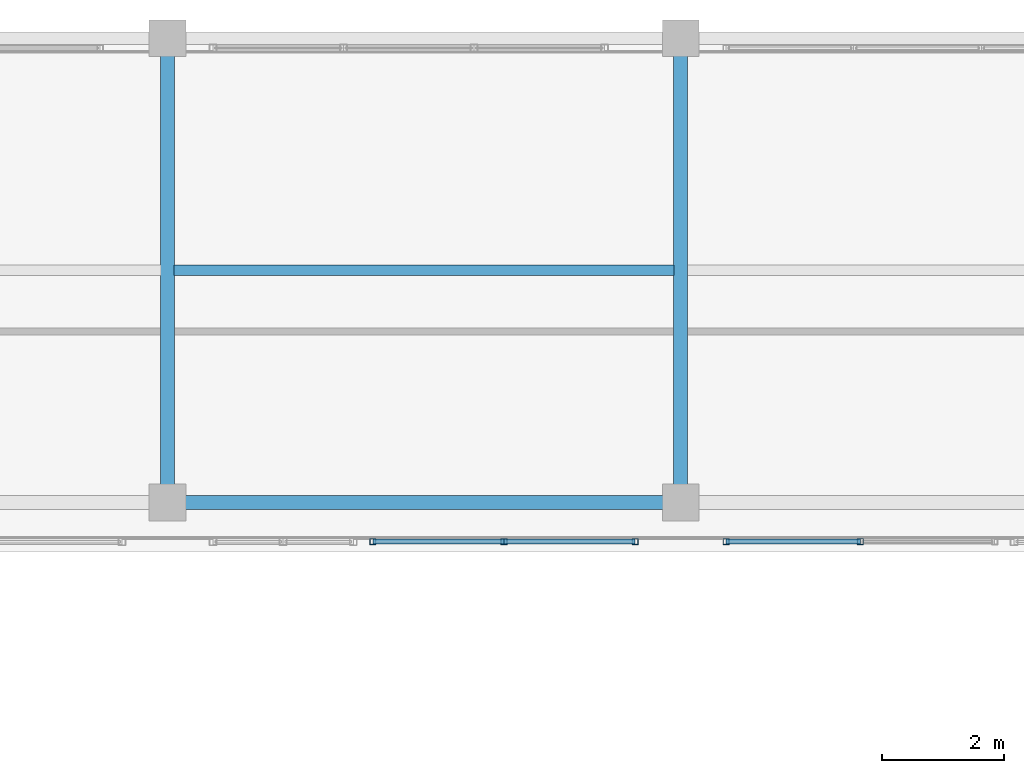
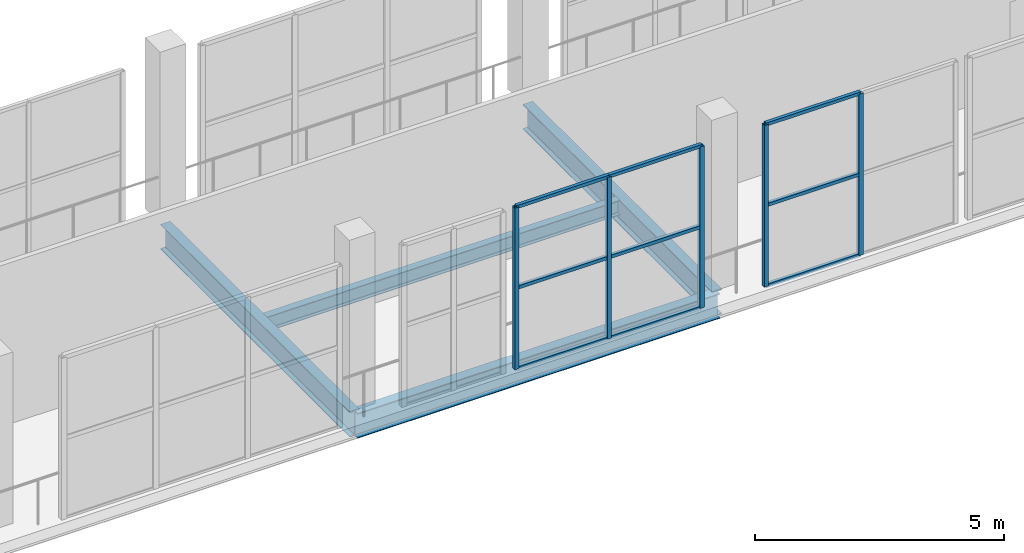
# One storey, part 76 of 151: 14 members, 4 beams, 2 elements without a shape of their own.
"""IFC4 building model written with IfcOpenShell, lengths in metres."""

from ifc_helpers import new_model, si_unit, direction, frame, origin, origin_2d, place, context, subcontext, project, spatial, hollow_rectangle, i_section, extrude, material, material_profile, profile_set, type_object, element, aggregate, save


model = new_model("IFC4")

# Units and contexts
model_context = context("Model", 3, precision=1e-05, world=origin(), true_north=direction((0.0, 1.0)))
body_context = subcontext(model_context, "Body", "Model", "MODEL_VIEW")
ifc_project = project(units=[si_unit("LENGTHUNIT", "METRE"), si_unit("AREAUNIT", "SQUARE_METRE"), si_unit("VOLUMEUNIT", "CUBIC_METRE"), si_unit("PLANEANGLEUNIT", "RADIAN"), si_unit("MASSUNIT", "GRAM", prefix="KILO")], contexts=[model_context])

# Site, building, storey
site_placement = place(None, origin())
site = spatial("IfcSite", under=ifc_project, at=site_placement, CompositionType="ELEMENT")
building_placement = place(site_placement, origin())
building = spatial("IfcBuilding", under=site, at=building_placement, Name="Zuvorla Pavilion Media Centre", CompositionType="ELEMENT")
storey_placement = place(building_placement, frame((0.0, 0.0, 13.800048828125)))
storey = spatial("IfcBuildingStorey", under=building, at=storey_placement, Name="L03", CompositionType="ELEMENT", Elevation=13.800048828125)

# Beams
ifc_material_1 = material(Name="Steel S355", Category="steel")
ifc_material_profile_1 = material_profile(ifc_material_1, i_section(OverallWidth=0.172119140625, OverallDepth=0.35791015625, WebThickness=0.008056640625, FlangeThickness=0.012939453125, FilletRadius=0.01025390625, at=origin_2d()), Name="UB 356x171x57")
ifc_profile_set_1 = profile_set([ifc_material_profile_1], Name="Steel S355")
beam_type_1 = type_object("IfcBeamType", Name="BM-UB356", PredefinedType="JOIST", material=ifc_profile_set_1)
beam_1_placement = place(storey_placement, frame((108.909423828125, 85.800048828125, -0.43701171875), z_axis=(1.0, 0.0, 0.0), x_axis=(0.0, 1.0, 0.0)))
element("IfcBeam", 1, at=beam_1_placement, inside=storey, type_object=beam_type_1, Name="L03 joist J03 1278", PredefinedType="JOIST", context=body_context, shape_type="SweptSolid", body=[
    extrude(i_section(OverallWidth=0.172119140625, OverallDepth=0.35791015625, WebThickness=0.008056640625, FlangeThickness=0.012939453125, FilletRadius=0.01025390625, at=origin_2d()), origin(), (0.0, 0.0, 1.0), 8.18115234375),
])
ifc_material_profile_2 = material_profile(ifc_material_1, i_section(OverallWidth=0.22900390625, OverallDepth=0.6123046875, WebThickness=0.011962890625, FlangeThickness=0.01953125, FilletRadius=0.0126953125, at=origin_2d()), Name="UB 610x229x125")
ifc_profile_set_2 = profile_set([ifc_material_profile_2], Name="Steel S355")
beam_type_2 = type_object("IfcBeamType", Name="BM-UB610", PredefinedType="BEAM", material=ifc_profile_set_2)
beam_2_placement = place(storey_placement, frame((108.800048828125, 82.0, -0.564208984375), z_axis=(1.0, 0.0, 0.0), x_axis=(0.0, 1.0, 0.0)))
element("IfcBeam", 2, at=beam_2_placement, inside=storey, type_object=beam_type_2, Name="L03 beam B07 1125", PredefinedType="BEAM", context=body_context, shape_type="SweptSolid", body=[
    extrude(i_section(OverallWidth=0.22900390625, OverallDepth=0.6123046875, WebThickness=0.011962890625, FlangeThickness=0.01953125, FilletRadius=0.0126953125, at=origin_2d()), origin(), (0.0, 0.0, 1.0), 8.39990234375),
])
for number, where, z_axis, x_axis, name in (
    (3, (108.800048828125, 82.0, -0.564208984375), (0.0, 1.0, 0.0), (-1.0, 0.0, 0.0), "L03 beam B07 1211"),
    (4, (117.199951171875, 82.0, -0.564208984375), (0.0, 1.0, 0.0), (-1.0, 0.0, 0.0), "L03 beam B07 1213"),
):
    element("IfcBeam", number, at=place(storey_placement, frame(where, z_axis=z_axis, x_axis=x_axis)), inside=storey, type_object=beam_type_2, Name=name, PredefinedType="BEAM", context=body_context, shape_type="SweptSolid", body=[
        extrude(i_section(OverallWidth=0.22900390625, OverallDepth=0.6123046875, WebThickness=0.011962890625, FlangeThickness=0.01953125, FilletRadius=0.0126953125, at=origin_2d()), origin(), (0.0, 0.0, 1.0), 7.60009765625),
    ])

# Curtain wall, members
ifc_material_2 = material(Name="Unitised anodised aluminium and solar glass curtain wall", Category="aluminium")
curtain_wall_type_1 = type_object("IfcCurtainWallType", Name="CW-SYS-83", PredefinedType="USERDEFINED", material=ifc_material_2)
curtain_wall_1_placement = place(storey_placement, origin())
curtain_wall_1 = element("IfcCurtainWall", 5, at=curtain_wall_1_placement, inside=storey, type_object=curtain_wall_type_1, Name="L03 curtain wall CW83 176", ObjectType="CURTAIN WALL", PredefinedType="USERDEFINED")
ifc_material_3 = material(Name="Anodised aluminium 6063-T6", Category="aluminium")
ifc_material_profile_3 = material_profile(ifc_material_3, hollow_rectangle(XDim=0.10009765625, YDim=0.10009765625, WallThickness=0.00439453125, at=origin_2d()), Name="ALU MULL 100x100")
ifc_profile_set_3 = profile_set([ifc_material_profile_3], Name="Anodised aluminium 6063-T6")
member_type_1 = type_object("IfcMemberType", Name="CW-MULL-100", PredefinedType="MULLION", material=ifc_profile_set_3)
member_1_placement = place(storey_placement, frame((120.14208984375, 81.360107421875, 0.0), z_axis=(0.0, 0.0, 1.0), x_axis=(1.0, 0.0, 0.0)))
member_1 = element("IfcMember", 6, at=member_1_placement, type_object=member_type_1, Name="CW83 mullion 2", PredefinedType="MULLION", context=body_context, shape_type="SweptSolid", body=[
    extrude(hollow_rectangle(XDim=0.10009765625, YDim=0.10009765625, WallThickness=0.00439453125, at=origin_2d()), origin(), (0.0, 0.0, 1.0), 3.9599609375),
])
member_2_placement = place(storey_placement, frame((117.9443359375, 81.360107421875, 0.0), z_axis=(0.0, 0.0, 1.0), x_axis=(1.0, 0.0, 0.0)))
member_2 = element("IfcMember", 7, at=member_2_placement, type_object=member_type_1, Name="CW83 mullion 3", PredefinedType="MULLION", context=body_context, shape_type="SweptSolid", body=[
    extrude(hollow_rectangle(XDim=0.10009765625, YDim=0.10009765625, WallThickness=0.00439453125, at=origin_2d()), origin(), (0.0, 0.0, 1.0), 3.9599609375),
])

curtain_wall_type_2 = type_object("IfcCurtainWallType", Name="CW-SYS-51", PredefinedType="USERDEFINED", material=ifc_material_2)
curtain_wall_2_placement = place(storey_placement, origin())
curtain_wall_2 = element("IfcCurtainWall", 8, at=curtain_wall_2_placement, inside=storey, type_object=curtain_wall_type_2, Name="L03 curtain wall CW51 177", ObjectType="CURTAIN WALL", PredefinedType="USERDEFINED")
member_3_placement = place(storey_placement, frame((116.455810546875, 81.360107421875, 0.0), z_axis=(0.0, 0.0, 1.0), x_axis=(1.0, 0.0, 0.0)))
member_3 = element("IfcMember", 9, at=member_3_placement, type_object=member_type_1, Name="CW51 mullion 1", PredefinedType="MULLION", context=body_context, shape_type="SweptSolid", body=[
    extrude(hollow_rectangle(XDim=0.10009765625, YDim=0.10009765625, WallThickness=0.00439453125, at=origin_2d()), origin(), (0.0, 0.0, 1.0), 3.9599609375),
])
member_4_placement = place(storey_placement, frame((114.307861328125, 81.360107421875, 0.0), z_axis=(0.0, 0.0, 1.0), x_axis=(1.0, 0.0, 0.0)))
member_4 = element("IfcMember", 10, at=member_4_placement, type_object=member_type_1, Name="CW51 mullion 2", PredefinedType="MULLION", context=body_context, shape_type="SweptSolid", body=[
    extrude(hollow_rectangle(XDim=0.10009765625, YDim=0.10009765625, WallThickness=0.00439453125, at=origin_2d()), origin(), (0.0, 0.0, 1.0), 3.9599609375),
])
member_5_placement = place(storey_placement, frame((112.159912109375, 81.360107421875, 0.0), z_axis=(0.0, 0.0, 1.0), x_axis=(1.0, 0.0, 0.0)))
member_5 = element("IfcMember", 11, at=member_5_placement, type_object=member_type_1, Name="CW51 mullion 3", PredefinedType="MULLION", context=body_context, shape_type="SweptSolid", body=[
    extrude(hollow_rectangle(XDim=0.10009765625, YDim=0.10009765625, WallThickness=0.00439453125, at=origin_2d()), origin(), (0.0, 0.0, 1.0), 3.9599609375),
])

# Member
ifc_material_profile_4 = material_profile(ifc_material_3, hollow_rectangle(XDim=0.080078125, YDim=0.080078125, WallThickness=0.00390625, at=origin_2d()), Name="ALU TRAN 80x80")
ifc_profile_set_4 = profile_set([ifc_material_profile_4], Name="Anodised aluminium 6063-T6")
member_type_2 = type_object("IfcMemberType", Name="CW-TRAN-80", PredefinedType="USERDEFINED", material=ifc_profile_set_4)
member_6_placement = place(storey_placement, frame((120.14208984375, 81.360107421875, 0.0), z_axis=(-1.0, 0.0, 0.0), x_axis=(0.0, -1.0, 0.0)))
member_6 = element("IfcMember", 12, at=member_6_placement, type_object=member_type_2, Name="CW83 transom 2.1", ObjectType="TRANSOM", PredefinedType="USERDEFINED", context=body_context, shape_type="SweptSolid", body=[
    extrude(hollow_rectangle(XDim=0.080078125, YDim=0.080078125, WallThickness=0.00390625, at=origin_2d()), origin(), (0.0, 0.0, 1.0), 2.19775390625),
])

member_7_placement = place(storey_placement, frame((120.14208984375, 81.360107421875, 1.97998046875), z_axis=(-1.0, 0.0, 0.0), x_axis=(0.0, -1.0, 0.0)))
member_7 = element("IfcMember", 13, at=member_7_placement, type_object=member_type_2, Name="CW83 transom 2.2", ObjectType="TRANSOM", PredefinedType="USERDEFINED", context=body_context, shape_type="SweptSolid", body=[
    extrude(hollow_rectangle(XDim=0.080078125, YDim=0.080078125, WallThickness=0.00390625, at=origin_2d()), origin(), (0.0, 0.0, 1.0), 2.19775390625),
])

member_8_placement = place(storey_placement, frame((120.14208984375, 81.360107421875, 3.9599609375), z_axis=(-1.0, 0.0, 0.0), x_axis=(0.0, -1.0, 0.0)))
member_8 = element("IfcMember", 14, at=member_8_placement, type_object=member_type_2, Name="CW83 transom 2.3", ObjectType="TRANSOM", PredefinedType="USERDEFINED", context=body_context, shape_type="SweptSolid", body=[
    extrude(hollow_rectangle(XDim=0.080078125, YDim=0.080078125, WallThickness=0.00390625, at=origin_2d()), origin(), (0.0, 0.0, 1.0), 2.19775390625),
])

aggregate(curtain_wall_1, [member_1, member_2, member_6, member_7, member_8])

member_9_placement = place(storey_placement, frame((116.455810546875, 81.360107421875, 0.0), z_axis=(-1.0, 0.0, 0.0), x_axis=(0.0, -1.0, 0.0)))
member_9 = element("IfcMember", 15, at=member_9_placement, type_object=member_type_2, Name="CW51 transom 1.1", ObjectType="TRANSOM", PredefinedType="USERDEFINED", context=body_context, shape_type="SweptSolid", body=[
    extrude(hollow_rectangle(XDim=0.080078125, YDim=0.080078125, WallThickness=0.00390625, at=origin_2d()), origin(), (0.0, 0.0, 1.0), 2.14794921875),
])

member_10_placement = place(storey_placement, frame((116.455810546875, 81.360107421875, 1.97998046875), z_axis=(-1.0, 0.0, 0.0), x_axis=(0.0, -1.0, 0.0)))
member_10 = element("IfcMember", 16, at=member_10_placement, type_object=member_type_2, Name="CW51 transom 1.2", ObjectType="TRANSOM", PredefinedType="USERDEFINED", context=body_context, shape_type="SweptSolid", body=[
    extrude(hollow_rectangle(XDim=0.080078125, YDim=0.080078125, WallThickness=0.00390625, at=origin_2d()), origin(), (0.0, 0.0, 1.0), 2.14794921875),
])

member_11_placement = place(storey_placement, frame((116.455810546875, 81.360107421875, 3.9599609375), z_axis=(-1.0, 0.0, 0.0), x_axis=(0.0, -1.0, 0.0)))
member_11 = element("IfcMember", 17, at=member_11_placement, type_object=member_type_2, Name="CW51 transom 1.3", ObjectType="TRANSOM", PredefinedType="USERDEFINED", context=body_context, shape_type="SweptSolid", body=[
    extrude(hollow_rectangle(XDim=0.080078125, YDim=0.080078125, WallThickness=0.00390625, at=origin_2d()), origin(), (0.0, 0.0, 1.0), 2.14794921875),
])

member_12_placement = place(storey_placement, frame((114.307861328125, 81.360107421875, 0.0), z_axis=(-1.0, 0.0, 0.0), x_axis=(0.0, -1.0, 0.0)))
member_12 = element("IfcMember", 18, at=member_12_placement, type_object=member_type_2, Name="CW51 transom 2.1", ObjectType="TRANSOM", PredefinedType="USERDEFINED", context=body_context, shape_type="SweptSolid", body=[
    extrude(hollow_rectangle(XDim=0.080078125, YDim=0.080078125, WallThickness=0.00390625, at=origin_2d()), origin(), (0.0, 0.0, 1.0), 2.14794921875),
])

member_13_placement = place(storey_placement, frame((114.307861328125, 81.360107421875, 1.97998046875), z_axis=(-1.0, 0.0, 0.0), x_axis=(0.0, -1.0, 0.0)))
member_13 = element("IfcMember", 19, at=member_13_placement, type_object=member_type_2, Name="CW51 transom 2.2", ObjectType="TRANSOM", PredefinedType="USERDEFINED", context=body_context, shape_type="SweptSolid", body=[
    extrude(hollow_rectangle(XDim=0.080078125, YDim=0.080078125, WallThickness=0.00390625, at=origin_2d()), origin(), (0.0, 0.0, 1.0), 2.14794921875),
])

member_14_placement = place(storey_placement, frame((114.307861328125, 81.360107421875, 3.9599609375), z_axis=(-1.0, 0.0, 0.0), x_axis=(0.0, -1.0, 0.0)))
member_14 = element("IfcMember", 20, at=member_14_placement, type_object=member_type_2, Name="CW51 transom 2.3", ObjectType="TRANSOM", PredefinedType="USERDEFINED", context=body_context, shape_type="SweptSolid", body=[
    extrude(hollow_rectangle(XDim=0.080078125, YDim=0.080078125, WallThickness=0.00390625, at=origin_2d()), origin(), (0.0, 0.0, 1.0), 2.14794921875),
])

aggregate(curtain_wall_2, [member_3, member_4, member_5, member_9, member_10, member_11, member_12, member_13, member_14])

save(model, "model.ifc")
